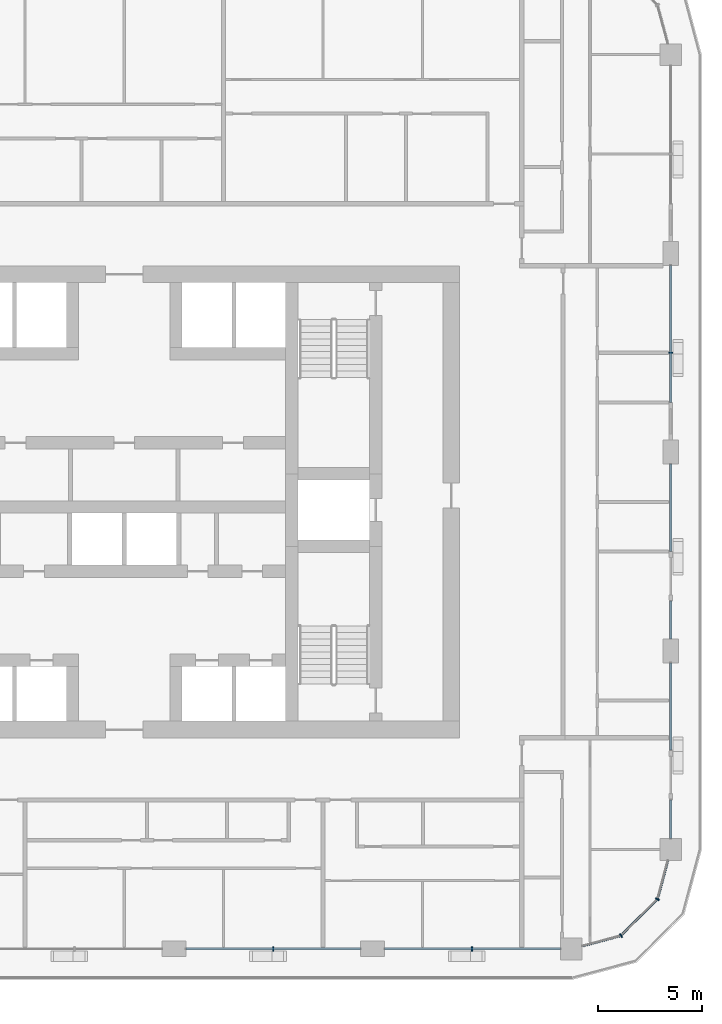
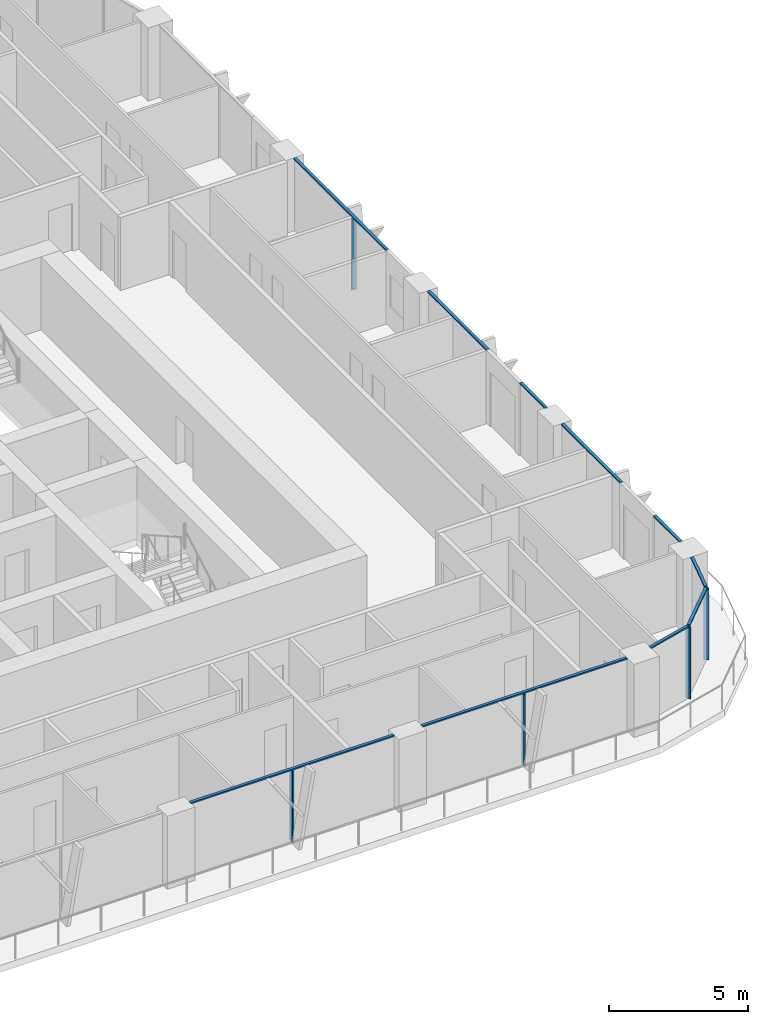
# One storey, part 4 of 23: 15 members, 6 elements without a shape of their own.
"""IFC4 building model written with IfcOpenShell, lengths in metres."""

from ifc_helpers import new_model, si_unit, direction, frame, origin, origin_2d, place, context, subcontext, project, spatial, rectangle, extrude, material, layer, layer_set, material_profile, profile_set, type_object, element, aggregate, save


model = new_model("IFC4")

# Units and contexts
model_context = context("Model", 3, precision=1e-05, world=origin(), true_north=direction((0.0, 1.0)))
body_context = subcontext(model_context, "Body", "Model", "MODEL_VIEW")
ifc_project = project(units=[si_unit("LENGTHUNIT", "METRE"), si_unit("AREAUNIT", "SQUARE_METRE"), si_unit("VOLUMEUNIT", "CUBIC_METRE"), si_unit("PLANEANGLEUNIT", "RADIAN"), si_unit("MASSUNIT", "GRAM", prefix="KILO")], contexts=[model_context])

# Site, building, storey
site_placement = place(None, origin())
site = spatial("IfcSite", under=ifc_project, at=site_placement, CompositionType="ELEMENT")
building_placement = place(site_placement, origin())
building = spatial("IfcBuilding", under=site, at=building_placement, Name="Madar Terraces", CompositionType="ELEMENT")
storey_placement = place(building_placement, frame((0.0, 0.0, 133.10009765625)))
storey = spatial("IfcBuildingStorey", under=building, at=storey_placement, Name="L34", CompositionType="ELEMENT", Elevation=133.10009765625)

# Curtain wall, member
ifc_material_1 = material(Name="Glass, ceramic frit dark grey, with black aluminium frame", Category="aluminium")
ifc_layer = layer(ifc_material_1, 0.199951171875)
ifc_layer_set = layer_set([ifc_layer], Name="Facade curtain wall, fritted glass")
curtain_wall_type = type_object("IfcCurtainWallType", Name="Facade curtain wall, fritted glass", PredefinedType="NOTDEFINED", material=ifc_layer_set)
curtain_wall_1_placement = place(storey_placement, origin())
curtain_wall_1 = element("IfcCurtainWall", 1, at=curtain_wall_1_placement, inside=storey, type_object=curtain_wall_type, Name="Outer skin curtain wall south bay 4", PredefinedType="NOTDEFINED")
ifc_material_2 = material(Name="Aluminium, black anodised", Category="aluminium")
ifc_material_profile_1 = material_profile(ifc_material_2, rectangle(XDim=0.199951171875, YDim=0.06005859375, at=origin_2d()), Name="Facade mullion 60x200")
ifc_profile_set_1 = profile_set([ifc_material_profile_1], Name="Aluminium, black anodised")
member_type_1 = type_object("IfcMemberType", Name="Facade mullion 60x200", PredefinedType="MULLION", material=ifc_profile_set_1)
member_1_placement = place(storey_placement, frame((38.39990234375, 4.800048828125, 0.0), z_axis=(0.0, 0.0, 1.0), x_axis=(0.0, 1.0, 0.0)))
member_1 = element("IfcMember", 2, at=member_1_placement, type_object=member_type_1, Name="Mullion 1", PredefinedType="MULLION", context=body_context, shape_type="SweptSolid", body=[
    extrude(rectangle(XDim=0.199951171875, YDim=0.06005859375, at=origin_2d()), origin(), (0.0, 0.0, 1.0), 3.139892578125),
])

curtain_wall_2_placement = place(storey_placement, origin())
curtain_wall_2 = element("IfcCurtainWall", 3, at=curtain_wall_2_placement, inside=storey, type_object=curtain_wall_type, Name="Outer skin curtain wall south bay 5", PredefinedType="NOTDEFINED")
member_2_placement = place(storey_placement, frame((48.0, 4.800048828125, 0.0), z_axis=(0.0, 0.0, 1.0), x_axis=(0.0, 1.0, 0.0)))
member_2 = element("IfcMember", 4, at=member_2_placement, type_object=member_type_1, Name="Mullion 1", PredefinedType="MULLION", context=body_context, shape_type="SweptSolid", body=[
    extrude(rectangle(XDim=0.199951171875, YDim=0.06005859375, at=origin_2d()), origin(), (0.0, 0.0, 1.0), 3.139892578125),
])

curtain_wall_3_placement = place(storey_placement, origin())
curtain_wall_3 = element("IfcCurtainWall", 5, at=curtain_wall_3_placement, inside=storey, type_object=curtain_wall_type, Name="Outer skin curtain wall east bay 3", PredefinedType="NOTDEFINED")
member_3_placement = place(storey_placement, frame((57.60009765625, 33.60009765625, 0.0), z_axis=(0.0, 0.0, 1.0), x_axis=(-1.0, 0.0, 0.0)))
member_3 = element("IfcMember", 6, at=member_3_placement, type_object=member_type_1, Name="Mullion 1", PredefinedType="MULLION", context=body_context, shape_type="SweptSolid", body=[
    extrude(rectangle(XDim=0.199951171875, YDim=0.06005859375, at=origin_2d()), origin(), (0.0, 0.0, 1.0), 3.139892578125),
])

# Curtain wall, members
curtain_wall_4_placement = place(storey_placement, origin())
curtain_wall_4 = element("IfcCurtainWall", 7, at=curtain_wall_4_placement, inside=storey, type_object=curtain_wall_type, Name="Outer skin curtain wall south-east corner", PredefinedType="NOTDEFINED")
member_4_placement = place(storey_placement, frame((55.199951171875, 5.443115234375, 0.0), z_axis=(0.0, 0.0, 1.0), x_axis=(-0.499999989586, 0.866025409797, 0.0)))
member_4 = element("IfcMember", 8, at=member_4_placement, type_object=member_type_1, Name="Mullion 1", PredefinedType="MULLION", context=body_context, shape_type="SweptSolid", body=[
    extrude(rectangle(XDim=0.199951171875, YDim=0.06005859375, at=origin_2d()), origin(), (0.0, 0.0, 1.0), 3.139892578125),
])
member_5_placement = place(storey_placement, frame((56.95703125, 7.199951171875, 0.0), z_axis=(0.0, 0.0, 1.0), x_axis=(-0.866025409797, 0.499999989586, 0.0)))
member_5 = element("IfcMember", 9, at=member_5_placement, type_object=member_type_1, Name="Mullion 2", PredefinedType="MULLION", context=body_context, shape_type="SweptSolid", body=[
    extrude(rectangle(XDim=0.199951171875, YDim=0.06005859375, at=origin_2d()), origin(), (0.0, 0.0, 1.0), 3.139892578125),
])

# Member
ifc_material_3 = material(Name="Aluminium, black anodised", Category="aluminium")
ifc_material_profile_2 = material_profile(ifc_material_3, rectangle(XDim=0.1201171875, YDim=0.06005859375, at=origin_2d()), Name="Facade transom 60x120")
ifc_profile_set_2 = profile_set([ifc_material_profile_2], Name="Aluminium, black anodised")
member_type_2 = type_object("IfcMemberType", Name="Facade transom 60x120", PredefinedType="USERDEFINED", material=ifc_profile_set_2)
member_6_placement = place(storey_placement, frame((34.175048828125, 4.800048828125, 3.169921875), z_axis=(1.0, 0.0, 0.0), x_axis=(0.0, 1.0, 0.0)))
member_6 = element("IfcMember", 10, at=member_6_placement, type_object=member_type_2, Name="Transom 1", ObjectType="TRANSOM", PredefinedType="USERDEFINED", context=body_context, shape_type="SweptSolid", body=[
    extrude(rectangle(XDim=0.1201171875, YDim=0.06005859375, at=origin_2d()), origin(), (0.0, 0.0, 1.0), 8.449951171875),
])

aggregate(curtain_wall_1, [member_1, member_6])

member_7_placement = place(storey_placement, frame((43.77490234375, 4.800048828125, 3.169921875), z_axis=(1.0, 0.0, 0.0), x_axis=(0.0, 1.0, 0.0)))
member_7 = element("IfcMember", 11, at=member_7_placement, type_object=member_type_2, Name="Transom 1", ObjectType="TRANSOM", PredefinedType="USERDEFINED", context=body_context, shape_type="SweptSolid", body=[
    extrude(rectangle(XDim=0.1201171875, YDim=0.06005859375, at=origin_2d()), origin(), (0.0, 0.0, 1.0), 8.5),
])

aggregate(curtain_wall_2, [member_2, member_7])

# Curtain wall, members
curtain_wall_5_placement = place(storey_placement, origin())
curtain_wall_5 = element("IfcCurtainWall", 12, at=curtain_wall_5_placement, inside=storey, type_object=curtain_wall_type, Name="Outer skin curtain wall east bay 1", PredefinedType="NOTDEFINED")
member_8_placement = place(storey_placement, frame((57.60009765625, 10.125, 3.169921875), z_axis=(0.0, 1.0, 0.0), x_axis=(-1.0, 0.0, 0.0)))
member_8 = element("IfcMember", 13, at=member_8_placement, type_object=member_type_2, Name="Transom 1", ObjectType="TRANSOM", PredefinedType="USERDEFINED", context=body_context, shape_type="SweptSolid", body=[
    extrude(rectangle(XDim=0.1201171875, YDim=0.06005859375, at=origin_2d()), origin(), (0.0, 0.0, 1.0), 1.875),
])
member_9_placement = place(storey_placement, frame((57.60009765625, 14.39990234375, 3.169921875), z_axis=(0.0, 1.0, 0.0), x_axis=(-1.0, 0.0, 0.0)))
member_9 = element("IfcMember", 14, at=member_9_placement, type_object=member_type_2, Name="Transom 2", ObjectType="TRANSOM", PredefinedType="USERDEFINED", context=body_context, shape_type="SweptSolid", body=[
    extrude(rectangle(XDim=0.1201171875, YDim=0.06005859375, at=origin_2d()), origin(), (0.0, 0.0, 1.0), 4.22509765625),
])
aggregate(curtain_wall_5, [member_8, member_9])

curtain_wall_6_placement = place(storey_placement, origin())
curtain_wall_6 = element("IfcCurtainWall", 15, at=curtain_wall_6_placement, inside=storey, type_object=curtain_wall_type, Name="Outer skin curtain wall east bay 2", PredefinedType="NOTDEFINED")
member_10_placement = place(storey_placement, frame((57.60009765625, 19.77490234375, 3.169921875), z_axis=(0.0, 1.0, 0.0), x_axis=(-1.0, 0.0, 0.0)))
member_10 = element("IfcMember", 16, at=member_10_placement, type_object=member_type_2, Name="Transom 1", ObjectType="TRANSOM", PredefinedType="USERDEFINED", context=body_context, shape_type="SweptSolid", body=[
    extrude(rectangle(XDim=0.1201171875, YDim=0.06005859375, at=origin_2d()), origin(), (0.0, 0.0, 1.0), 1.8251953125),
])
member_11_placement = place(storey_placement, frame((57.60009765625, 24.0, 3.169921875), z_axis=(0.0, 1.0, 0.0), x_axis=(-1.0, 0.0, 0.0)))
member_11 = element("IfcMember", 17, at=member_11_placement, type_object=member_type_2, Name="Transom 2", ObjectType="TRANSOM", PredefinedType="USERDEFINED", context=body_context, shape_type="SweptSolid", body=[
    extrude(rectangle(XDim=0.1201171875, YDim=0.06005859375, at=origin_2d()), origin(), (0.0, 0.0, 1.0), 4.22509765625),
])
aggregate(curtain_wall_6, [member_10, member_11])

# Member
member_12_placement = place(storey_placement, frame((57.60009765625, 31.199951171875, 3.169921875), z_axis=(0.0, 1.0, 0.0), x_axis=(-1.0, 0.0, 0.0)))
member_12 = element("IfcMember", 18, at=member_12_placement, type_object=member_type_2, Name="Transom 1", ObjectType="TRANSOM", PredefinedType="USERDEFINED", context=body_context, shape_type="SweptSolid", body=[
    extrude(rectangle(XDim=0.1201171875, YDim=0.06005859375, at=origin_2d()), origin(), (0.0, 0.0, 1.0), 6.625),
])

aggregate(curtain_wall_3, [member_3, member_12])

member_13_placement = place(storey_placement, frame((53.324951171875, 4.940673828125, 3.169921875), z_axis=(0.965933227928, 0.25879142023, 0.0), x_axis=(-0.25879142023, 0.965933227928, 0.0)))
member_13 = element("IfcMember", 19, at=member_13_placement, type_object=member_type_2, Name="Transom 1", ObjectType="TRANSOM", PredefinedType="USERDEFINED", context=body_context, shape_type="SweptSolid", body=[
    extrude(rectangle(XDim=0.1201171875, YDim=0.06005859375, at=origin_2d()), origin(), (0.0, 0.0, 1.0), 1.911376953125),
])

member_14_placement = place(storey_placement, frame((55.22119140625, 5.46435546875, 3.169921875), z_axis=(0.707157125196, 0.707056433593, 0.0), x_axis=(-0.707056433593, 0.707157125196, 0.0)))
member_14 = element("IfcMember", 20, at=member_14_placement, type_object=member_type_2, Name="Transom 2", ObjectType="TRANSOM", PredefinedType="USERDEFINED", context=body_context, shape_type="SweptSolid", body=[
    extrude(rectangle(XDim=0.1201171875, YDim=0.06005859375, at=origin_2d()), origin(), (0.0, 0.0, 1.0), 2.424560546875),
])

member_15_placement = place(storey_placement, frame((56.964599609375, 7.22900390625, 3.169921875), z_axis=(0.258823354654, 0.965924671538, 0.0), x_axis=(-0.965924671538, 0.258823354654, 0.0)))
member_15 = element("IfcMember", 21, at=member_15_placement, type_object=member_type_2, Name="Transom 3", ObjectType="TRANSOM", PredefinedType="USERDEFINED", context=body_context, shape_type="SweptSolid", body=[
    extrude(rectangle(XDim=0.1201171875, YDim=0.06005859375, at=origin_2d()), origin(), (0.0, 0.0, 1.0), 1.9111328125),
])

aggregate(curtain_wall_4, [member_4, member_13, member_5, member_14, member_15])

save(model, "model.ifc")
